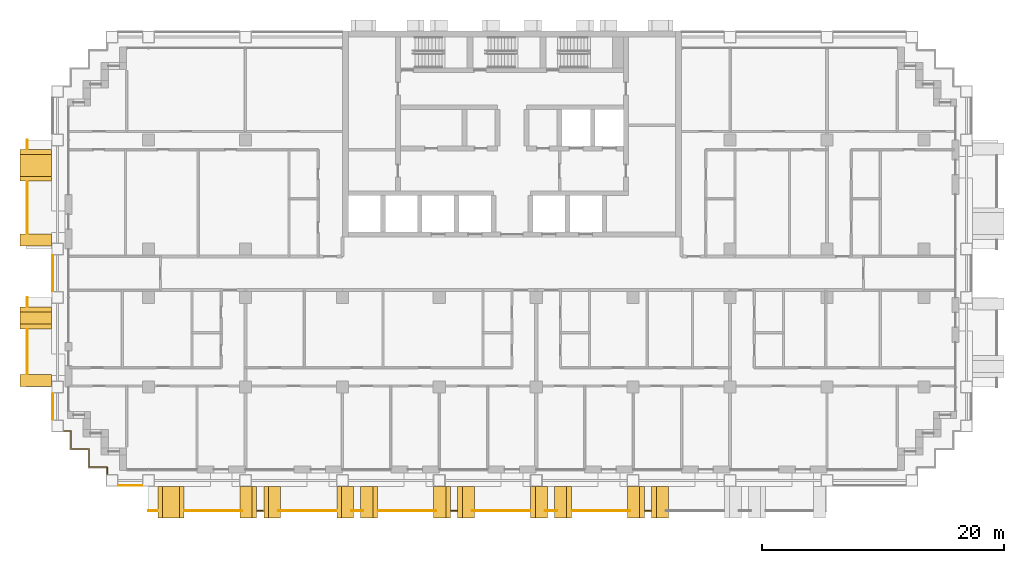
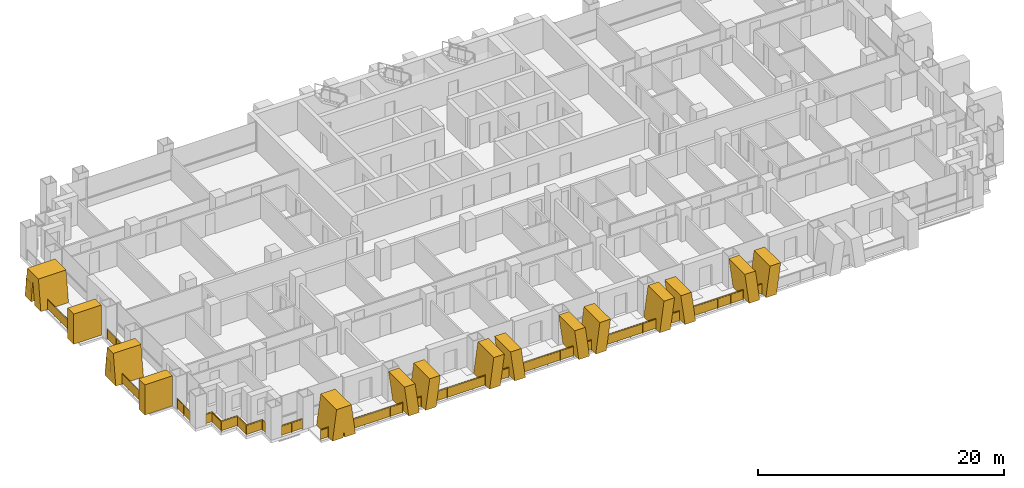
# One storey, part 15 of 18: 19 railings, 15 shading devices.
"""IFC4 building model written with IfcOpenShell, lengths in metres."""

from ifc_helpers import new_model, si_unit, direction, frame, origin, origin_2d, place, context, subcontext, project, spatial, polyline, rectangle, circle, outline, extrude, material, layer, layer_set, type_object, element, save


model = new_model("IFC4")

# Units and contexts
model_context = context("Model", 3, precision=1e-05, world=origin(), true_north=direction((0.0, 1.0)))
body_context = subcontext(model_context, "Body", "Model", "MODEL_VIEW")
ifc_project = project(units=[si_unit("LENGTHUNIT", "METRE"), si_unit("AREAUNIT", "SQUARE_METRE"), si_unit("VOLUMEUNIT", "CUBIC_METRE"), si_unit("PLANEANGLEUNIT", "RADIAN"), si_unit("MASSUNIT", "GRAM", prefix="KILO")], contexts=[model_context])

# Site, building, storey
site_placement = place(None, origin())
site = spatial("IfcSite", under=ifc_project, at=site_placement, CompositionType="ELEMENT")
building_placement = place(site_placement, origin())
building = spatial("IfcBuilding", under=site, at=building_placement, Name="Vidyagriha Tower", CompositionType="ELEMENT")
storey_placement = place(building_placement, frame((0.0, 0.0, 48.0)))
storey = spatial("IfcBuildingStorey", under=building, at=storey_placement, Name="L12", CompositionType="ELEMENT", Elevation=48.0)

# Railings
ifc_material_1 = material(Name="Steel ASTM A500 Grade C black painted", Category="steel")
railing_type_1 = type_object("IfcRailingType", Name="Balcony guard 1100", PredefinedType="BALUSTRADE", material=ifc_material_1)
railing_1_placement = place(storey_placement, frame((-40.0, 11.0, 0.0)))
element("IfcRailing", 1, at=railing_1_placement, inside=storey, type_object=railing_type_1, Name="Balcony guard L12 R16.1-1", PredefinedType="BALUSTRADE", context=body_context, shape_type="SweptSolid", body=[
    extrude(circle(Radius=0.02490234375, at=origin_2d()), frame((0.0, 0.0, 1.0751953125), z_axis=(0.0, -1.0, 0.0), x_axis=(1.0, 0.0, 0.0)), (0.0, 0.0, 1.0), 0.75),
    extrude(circle(Radius=0.02001953125, at=origin_2d()), origin(), (0.0, 0.0, 1.0), 1.050048828125),
    extrude(circle(Radius=0.02001953125, at=origin_2d()), frame((0.0, -0.75, 0.0)), (0.0, 0.0, 1.0), 1.050048828125),
    extrude(rectangle(XDim=0.010009765625, YDim=0.900146484375, at=origin_2d()), frame((0.0, 0.0, 0.550048828125), z_axis=(0.0, -1.0, 0.0), x_axis=(1.0, 0.0, 0.0)), (0.0, 0.0, 1.0), 0.75),
])
railing_2_placement = place(storey_placement, frame((-40.0, 7.550048828125, 0.0)))
element("IfcRailing", 2, at=railing_2_placement, inside=storey, type_object=railing_type_1, Name="Balcony guard L12 R16.1-2", PredefinedType="BALUSTRADE", context=body_context, shape_type="SweptSolid", body=[
    extrude(circle(Radius=0.02490234375, at=origin_2d()), frame((0.0, 0.0, 1.0751953125), z_axis=(0.0, -1.0, 0.0), x_axis=(1.0, 0.0, 0.0)), (0.0, 0.0, 1.0), 4.25),
    extrude(circle(Radius=0.02001953125, at=origin_2d()), origin(), (0.0, 0.0, 1.0), 1.050048828125),
    extrude(circle(Radius=0.02001953125, at=origin_2d()), frame((0.0, -1.0625, 0.0)), (0.0, 0.0, 1.0), 1.050048828125),
    extrude(circle(Radius=0.02001953125, at=origin_2d()), frame((0.0, -2.125, 0.0)), (0.0, 0.0, 1.0), 1.050048828125),
    extrude(circle(Radius=0.02001953125, at=origin_2d()), frame((0.0, -3.1875, 0.0)), (0.0, 0.0, 1.0), 1.050048828125),
    extrude(circle(Radius=0.02001953125, at=origin_2d()), frame((0.0, -4.25, 0.0)), (0.0, 0.0, 1.0), 1.050048828125),
    extrude(rectangle(XDim=0.010009765625, YDim=0.900146484375, at=origin_2d()), frame((0.0, 0.0, 0.550048828125), z_axis=(0.0, -1.0, 0.0), x_axis=(1.0, 0.0, 0.0)), (0.0, 0.0, 1.0), 4.25),
])
railing_3_placement = place(storey_placement, frame((-40.0, -2.0, 0.0)))
element("IfcRailing", 3, at=railing_3_placement, inside=storey, type_object=railing_type_1, Name="Balcony guard L12 R16.2-1", PredefinedType="BALUSTRADE", context=body_context, shape_type="SweptSolid", body=[
    extrude(circle(Radius=0.02490234375, at=origin_2d()), frame((0.0, 0.0, 1.0751953125), z_axis=(0.0, -1.0, 0.0), x_axis=(1.0, 0.0, 0.0)), (0.0, 0.0, 1.0), 0.75),
    extrude(circle(Radius=0.02001953125, at=origin_2d()), origin(), (0.0, 0.0, 1.0), 1.050048828125),
    extrude(circle(Radius=0.02001953125, at=origin_2d()), frame((0.0, -0.75, 0.0)), (0.0, 0.0, 1.0), 1.050048828125),
    extrude(rectangle(XDim=0.010009765625, YDim=0.900146484375, at=origin_2d()), frame((0.0, 0.0, 0.550048828125), z_axis=(0.0, -1.0, 0.0), x_axis=(1.0, 0.0, 0.0)), (0.0, 0.0, 1.0), 0.75),
])
railing_4_placement = place(storey_placement, frame((-40.0, -4.64990234375, 0.0)))
element("IfcRailing", 4, at=railing_4_placement, inside=storey, type_object=railing_type_1, Name="Balcony guard L12 R16.2-2", PredefinedType="BALUSTRADE", context=body_context, shape_type="SweptSolid", body=[
    extrude(circle(Radius=0.02490234375, at=origin_2d()), frame((0.0, 0.0, 1.0751953125), z_axis=(0.0, -1.0, 0.0), x_axis=(1.0, 0.0, 0.0)), (0.0, 0.0, 1.0), 3.650146484375),
    extrude(circle(Radius=0.02001953125, at=origin_2d()), origin(), (0.0, 0.0, 1.0), 1.050048828125),
    extrude(circle(Radius=0.02001953125, at=origin_2d()), frame((0.0, -0.91259765625, 0.0)), (0.0, 0.0, 1.0), 1.050048828125),
    extrude(circle(Radius=0.02001953125, at=origin_2d()), frame((0.0, -1.8251953125, 0.0)), (0.0, 0.0, 1.0), 1.050048828125),
    extrude(circle(Radius=0.02001953125, at=origin_2d()), frame((0.0, -2.737548828125, 0.0)), (0.0, 0.0, 1.0), 1.050048828125),
    extrude(circle(Radius=0.02001953125, at=origin_2d()), frame((0.0, -3.650146484375, 0.0)), (0.0, 0.0, 1.0), 1.050048828125),
    extrude(rectangle(XDim=0.010009765625, YDim=0.900146484375, at=origin_2d()), frame((0.0, 0.0, 0.550048828125), z_axis=(0.0, -1.0, 0.0), x_axis=(1.0, 0.0, 0.0)), (0.0, 0.0, 1.0), 3.650146484375),
])
railing_5_placement = place(storey_placement, frame((-30.0, -19.60009765625, 0.0)))
element("IfcRailing", 5, at=railing_5_placement, inside=storey, type_object=railing_type_1, Name="Balcony guard L12 R23.1-1", PredefinedType="BALUSTRADE", context=body_context, shape_type="SweptSolid", body=[
    extrude(circle(Radius=0.02490234375, at=origin_2d()), frame((0.0, 0.0, 1.0751953125), z_axis=(1.0, 0.0, 0.0), x_axis=(0.0, 1.0, 0.0)), (0.0, 0.0, 1.0), 0.721435546875),
    extrude(circle(Radius=0.02001953125, at=origin_2d()), origin(), (0.0, 0.0, 1.0), 1.050048828125),
    extrude(circle(Radius=0.02001953125, at=origin_2d()), frame((0.721435546875, 0.0, 0.0)), (0.0, 0.0, 1.0), 1.050048828125),
    extrude(rectangle(XDim=0.010009765625, YDim=0.900146484375, at=origin_2d()), frame((0.0, 0.0, 0.550048828125), z_axis=(1.0, 0.0, 0.0), x_axis=(0.0, 1.0, 0.0)), (0.0, 0.0, 1.0), 0.721435546875),
])
railing_6_placement = place(storey_placement, frame((-27.021484375, -19.60009765625, 0.0)))
element("IfcRailing", 6, at=railing_6_placement, inside=storey, type_object=railing_type_1, Name="Balcony guard L12 R23.1-2", PredefinedType="BALUSTRADE", context=body_context, shape_type="SweptSolid", body=[
    extrude(circle(Radius=0.02490234375, at=origin_2d()), frame((0.0, 0.0, 1.0751953125), z_axis=(1.0, 0.0, 0.0), x_axis=(0.0, 1.0, 0.0)), (0.0, 0.0, 1.0), 4.755126953125),
    extrude(circle(Radius=0.02001953125, at=origin_2d()), origin(), (0.0, 0.0, 1.0), 1.050048828125),
    extrude(circle(Radius=0.02001953125, at=origin_2d()), frame((1.188720703125, 0.0, 0.0)), (0.0, 0.0, 1.0), 1.050048828125),
    extrude(circle(Radius=0.02001953125, at=origin_2d()), frame((2.37744140625, 0.0, 0.0)), (0.0, 0.0, 1.0), 1.050048828125),
    extrude(circle(Radius=0.02001953125, at=origin_2d()), frame((3.56640625, 0.0, 0.0)), (0.0, 0.0, 1.0), 1.050048828125),
    extrude(circle(Radius=0.02001953125, at=origin_2d()), frame((4.755126953125, 0.0, 0.0)), (0.0, 0.0, 1.0), 1.050048828125),
    extrude(rectangle(XDim=0.010009765625, YDim=0.900146484375, at=origin_2d()), frame((0.0, 0.0, 0.550048828125), z_axis=(1.0, 0.0, 0.0), x_axis=(0.0, 1.0, 0.0)), (0.0, 0.0, 1.0), 4.755126953125),
])
railing_7_placement = place(storey_placement, frame((-21.014892578125, -19.60009765625, 0.0)))
element("IfcRailing", 7, at=railing_7_placement, inside=storey, type_object=railing_type_1, Name="Balcony guard L12 R23.1-3", PredefinedType="BALUSTRADE", context=body_context, shape_type="SweptSolid", body=[
    extrude(circle(Radius=0.02490234375, at=origin_2d()), frame((0.0, 0.0, 1.0751953125), z_axis=(1.0, 0.0, 0.0), x_axis=(0.0, 1.0, 0.0)), (0.0, 0.0, 1.0), 0.47998046875),
    extrude(circle(Radius=0.02001953125, at=origin_2d()), origin(), (0.0, 0.0, 1.0), 1.050048828125),
    extrude(circle(Radius=0.02001953125, at=origin_2d()), frame((0.47998046875, 0.0, 0.0)), (0.0, 0.0, 1.0), 1.050048828125),
    extrude(rectangle(XDim=0.010009765625, YDim=0.900146484375, at=origin_2d()), frame((0.0, 0.0, 0.550048828125), z_axis=(1.0, 0.0, 0.0), x_axis=(0.0, 1.0, 0.0)), (0.0, 0.0, 1.0), 0.47998046875),
])
railing_8_placement = place(storey_placement, frame((-19.28369140625, -19.60009765625, 0.0)))
element("IfcRailing", 8, at=railing_8_placement, inside=storey, type_object=railing_type_1, Name="Balcony guard L12 R23.1-4", PredefinedType="BALUSTRADE", context=body_context, shape_type="SweptSolid", body=[
    extrude(circle(Radius=0.02490234375, at=origin_2d()), frame((0.0, 0.0, 1.0751953125), z_axis=(1.0, 0.0, 0.0), x_axis=(0.0, 1.0, 0.0)), (0.0, 0.0, 1.0), 4.773681640625),
    extrude(circle(Radius=0.02001953125, at=origin_2d()), origin(), (0.0, 0.0, 1.0), 1.050048828125),
    extrude(circle(Radius=0.02001953125, at=origin_2d()), frame((1.193359375, 0.0, 0.0)), (0.0, 0.0, 1.0), 1.050048828125),
    extrude(circle(Radius=0.02001953125, at=origin_2d()), frame((2.38671875, 0.0, 0.0)), (0.0, 0.0, 1.0), 1.050048828125),
    extrude(circle(Radius=0.02001953125, at=origin_2d()), frame((3.580322265625, 0.0, 0.0)), (0.0, 0.0, 1.0), 1.050048828125),
    extrude(circle(Radius=0.02001953125, at=origin_2d()), frame((4.773681640625, 0.0, 0.0)), (0.0, 0.0, 1.0), 1.050048828125),
    extrude(rectangle(XDim=0.010009765625, YDim=0.900146484375, at=origin_2d()), frame((0.0, 0.0, 0.550048828125), z_axis=(1.0, 0.0, 0.0), x_axis=(0.0, 1.0, 0.0)), (0.0, 0.0, 1.0), 4.773681640625),
])
railing_9_placement = place(storey_placement, frame((-13.258544921875, -19.60009765625, 0.0)))
element("IfcRailing", 9, at=railing_9_placement, inside=storey, type_object=railing_type_1, Name="Balcony guard L12 R23.1-5", PredefinedType="BALUSTRADE", context=body_context, shape_type="SweptSolid", body=[
    extrude(circle(Radius=0.02490234375, at=origin_2d()), frame((0.0, 0.0, 1.0751953125), z_axis=(1.0, 0.0, 0.0), x_axis=(0.0, 1.0, 0.0)), (0.0, 0.0, 1.0), 0.967041015625),
    extrude(circle(Radius=0.02001953125, at=origin_2d()), origin(), (0.0, 0.0, 1.0), 1.050048828125),
    extrude(circle(Radius=0.02001953125, at=origin_2d()), frame((0.967041015625, 0.0, 0.0)), (0.0, 0.0, 1.0), 1.050048828125),
    extrude(rectangle(XDim=0.010009765625, YDim=0.900146484375, at=origin_2d()), frame((0.0, 0.0, 0.550048828125), z_axis=(1.0, 0.0, 0.0), x_axis=(0.0, 1.0, 0.0)), (0.0, 0.0, 1.0), 0.967041015625),
])
railing_10_placement = place(storey_placement, frame((-11.0400390625, -19.60009765625, 0.0)))
element("IfcRailing", 10, at=railing_10_placement, inside=storey, type_object=railing_type_1, Name="Balcony guard L12 R23.1-6", PredefinedType="BALUSTRADE", context=body_context, shape_type="SweptSolid", body=[
    extrude(circle(Radius=0.02490234375, at=origin_2d()), frame((0.0, 0.0, 1.0751953125), z_axis=(1.0, 0.0, 0.0), x_axis=(0.0, 1.0, 0.0)), (0.0, 0.0, 1.0), 4.773681640625),
    extrude(circle(Radius=0.02001953125, at=origin_2d()), origin(), (0.0, 0.0, 1.0), 1.050048828125),
    extrude(circle(Radius=0.02001953125, at=origin_2d()), frame((1.193359375, 0.0, 0.0)), (0.0, 0.0, 1.0), 1.050048828125),
    extrude(circle(Radius=0.02001953125, at=origin_2d()), frame((2.38671875, 0.0, 0.0)), (0.0, 0.0, 1.0), 1.050048828125),
    extrude(circle(Radius=0.02001953125, at=origin_2d()), frame((3.580322265625, 0.0, 0.0)), (0.0, 0.0, 1.0), 1.050048828125),
    extrude(circle(Radius=0.02001953125, at=origin_2d()), frame((4.773681640625, 0.0, 0.0)), (0.0, 0.0, 1.0), 1.050048828125),
    extrude(rectangle(XDim=0.010009765625, YDim=0.900146484375, at=origin_2d()), frame((0.0, 0.0, 0.550048828125), z_axis=(1.0, 0.0, 0.0), x_axis=(0.0, 1.0, 0.0)), (0.0, 0.0, 1.0), 4.773681640625),
])
railing_11_placement = place(storey_placement, frame((-5.014892578125, -19.60009765625, 0.0)))
element("IfcRailing", 11, at=railing_11_placement, inside=storey, type_object=railing_type_1, Name="Balcony guard L12 R23.1-7", PredefinedType="BALUSTRADE", context=body_context, shape_type="SweptSolid", body=[
    extrude(circle(Radius=0.02490234375, at=origin_2d()), frame((0.0, 0.0, 1.0751953125), z_axis=(1.0, 0.0, 0.0), x_axis=(0.0, 1.0, 0.0)), (0.0, 0.0, 1.0), 0.47998046875),
    extrude(circle(Radius=0.02001953125, at=origin_2d()), origin(), (0.0, 0.0, 1.0), 1.050048828125),
    extrude(circle(Radius=0.02001953125, at=origin_2d()), frame((0.47998046875, 0.0, 0.0)), (0.0, 0.0, 1.0), 1.050048828125),
    extrude(rectangle(XDim=0.010009765625, YDim=0.900146484375, at=origin_2d()), frame((0.0, 0.0, 0.550048828125), z_axis=(1.0, 0.0, 0.0), x_axis=(0.0, 1.0, 0.0)), (0.0, 0.0, 1.0), 0.47998046875),
])
railing_12_placement = place(storey_placement, frame((-3.28369140625, -19.60009765625, 0.0)))
element("IfcRailing", 12, at=railing_12_placement, inside=storey, type_object=railing_type_1, Name="Balcony guard L12 R23.1-8", PredefinedType="BALUSTRADE", context=body_context, shape_type="SweptSolid", body=[
    extrude(circle(Radius=0.02490234375, at=origin_2d()), frame((0.0, 0.0, 1.0751953125), z_axis=(1.0, 0.0, 0.0), x_axis=(0.0, 1.0, 0.0)), (0.0, 0.0, 1.0), 4.773681640625),
    extrude(circle(Radius=0.02001953125, at=origin_2d()), origin(), (0.0, 0.0, 1.0), 1.050048828125),
    extrude(circle(Radius=0.02001953125, at=origin_2d()), frame((1.193359375, 0.0, 0.0)), (0.0, 0.0, 1.0), 1.050048828125),
    extrude(circle(Radius=0.02001953125, at=origin_2d()), frame((2.38671875, 0.0, 0.0)), (0.0, 0.0, 1.0), 1.050048828125),
    extrude(circle(Radius=0.02001953125, at=origin_2d()), frame((3.580322265625, 0.0, 0.0)), (0.0, 0.0, 1.0), 1.050048828125),
    extrude(circle(Radius=0.02001953125, at=origin_2d()), frame((4.773681640625, 0.0, 0.0)), (0.0, 0.0, 1.0), 1.050048828125),
    extrude(rectangle(XDim=0.010009765625, YDim=0.900146484375, at=origin_2d()), frame((0.0, 0.0, 0.550048828125), z_axis=(1.0, 0.0, 0.0), x_axis=(0.0, 1.0, 0.0)), (0.0, 0.0, 1.0), 4.773681640625),
])
railing_13_placement = place(storey_placement, frame((2.741455078125, -19.60009765625, 0.0)))
element("IfcRailing", 13, at=railing_13_placement, inside=storey, type_object=railing_type_1, Name="Balcony guard L12 R23.1-9", PredefinedType="BALUSTRADE", context=body_context, shape_type="SweptSolid", body=[
    extrude(circle(Radius=0.02490234375, at=origin_2d()), frame((0.0, 0.0, 1.0751953125), z_axis=(1.0, 0.0, 0.0), x_axis=(0.0, 1.0, 0.0)), (0.0, 0.0, 1.0), 0.967041015625),
    extrude(circle(Radius=0.02001953125, at=origin_2d()), origin(), (0.0, 0.0, 1.0), 1.050048828125),
    extrude(circle(Radius=0.02001953125, at=origin_2d()), frame((0.967041015625, 0.0, 0.0)), (0.0, 0.0, 1.0), 1.050048828125),
    extrude(rectangle(XDim=0.010009765625, YDim=0.900146484375, at=origin_2d()), frame((0.0, 0.0, 0.550048828125), z_axis=(1.0, 0.0, 0.0), x_axis=(0.0, 1.0, 0.0)), (0.0, 0.0, 1.0), 0.967041015625),
])
railing_14_placement = place(storey_placement, frame((4.9599609375, -19.60009765625, 0.0)))
element("IfcRailing", 14, at=railing_14_placement, inside=storey, type_object=railing_type_1, Name="Balcony guard L12 R23.1-10", PredefinedType="BALUSTRADE", context=body_context, shape_type="SweptSolid", body=[
    extrude(circle(Radius=0.02490234375, at=origin_2d()), frame((0.0, 0.0, 1.0751953125), z_axis=(1.0, 0.0, 0.0), x_axis=(0.0, 1.0, 0.0)), (0.0, 0.0, 1.0), 4.773681640625),
    extrude(circle(Radius=0.02001953125, at=origin_2d()), origin(), (0.0, 0.0, 1.0), 1.050048828125),
    extrude(circle(Radius=0.02001953125, at=origin_2d()), frame((1.193359375, 0.0, 0.0)), (0.0, 0.0, 1.0), 1.050048828125),
    extrude(circle(Radius=0.02001953125, at=origin_2d()), frame((2.38671875, 0.0, 0.0)), (0.0, 0.0, 1.0), 1.050048828125),
    extrude(circle(Radius=0.02001953125, at=origin_2d()), frame((3.580322265625, 0.0, 0.0)), (0.0, 0.0, 1.0), 1.050048828125),
    extrude(circle(Radius=0.02001953125, at=origin_2d()), frame((4.773681640625, 0.0, 0.0)), (0.0, 0.0, 1.0), 1.050048828125),
    extrude(rectangle(XDim=0.010009765625, YDim=0.900146484375, at=origin_2d()), frame((0.0, 0.0, 0.550048828125), z_axis=(1.0, 0.0, 0.0), x_axis=(0.0, 1.0, 0.0)), (0.0, 0.0, 1.0), 4.773681640625),
])
railing_15_placement = place(storey_placement, frame((10.985107421875, -19.60009765625, 0.0)))
element("IfcRailing", 15, at=railing_15_placement, inside=storey, type_object=railing_type_1, Name="Balcony guard L12 R23.1-11", PredefinedType="BALUSTRADE", context=body_context, shape_type="SweptSolid", body=[
    extrude(circle(Radius=0.02490234375, at=origin_2d()), frame((0.0, 0.0, 1.0751953125), z_axis=(1.0, 0.0, 0.0), x_axis=(0.0, 1.0, 0.0)), (0.0, 0.0, 1.0), 0.47998046875),
    extrude(circle(Radius=0.02001953125, at=origin_2d()), origin(), (0.0, 0.0, 1.0), 1.050048828125),
    extrude(circle(Radius=0.02001953125, at=origin_2d()), frame((0.47998046875, 0.0, 0.0)), (0.0, 0.0, 1.0), 1.050048828125),
    extrude(rectangle(XDim=0.010009765625, YDim=0.900146484375, at=origin_2d()), frame((0.0, 0.0, 0.550048828125), z_axis=(1.0, 0.0, 0.0), x_axis=(0.0, 1.0, 0.0)), (0.0, 0.0, 1.0), 0.47998046875),
])

# Shading devices
ifc_material_2 = material(Name="Precast concrete C40/50 with buff brick facing", Category="concrete")
ifc_layer_1 = layer(ifc_material_2, 1.0)
ifc_layer_set_1 = layer_set([ifc_layer_1], Name="Precast concrete C40/50 with buff brick facing")
shading_device_type_1 = type_object("IfcShadingDeviceType", Name="Brick-faced blade fin arm leaning 8 degrees", PredefinedType="USERDEFINED", material=ifc_layer_set_1)
shading_device_1_placement = place(storey_placement, frame((-20.485107421875, -18.89990234375, 0.0)))
element("IfcShadingDevice", 16, at=shading_device_1_placement, inside=storey, type_object=shading_device_type_1, Name="Leaning blade fin L12 R23.980a", ObjectType="BLADE FIN", PredefinedType="USERDEFINED", context=body_context, shape_type="SweptSolid", body=[
    extrude(outline(polyline([(0.0, 0.0), (1.0, 0.0), (1.39501953125, 3.0), (0.39501953125, 3.0), (0.0, 0.0)])), frame((0.0, 1.300048828125, 0.0), z_axis=(0.0, -1.0, 0.0), x_axis=(1.0, 0.0, 0.0)), (0.0, 0.0, 1.0), 2.60009765625),
])
shading_device_2_placement = place(storey_placement, frame((-22.4599609375, -18.89990234375, 0.0)))
element("IfcShadingDevice", 17, at=shading_device_2_placement, inside=storey, type_object=shading_device_type_1, Name="Leaning blade fin L12 R23.980b", ObjectType="BLADE FIN", PredefinedType="USERDEFINED", context=body_context, shape_type="SweptSolid", body=[
    extrude(outline(polyline([(0.39501953125, 0.0), (1.39501953125, 0.0), (1.0, 3.0), (0.0, 3.0), (0.39501953125, 0.0)])), frame((0.0, 1.300048828125, 0.0), z_axis=(0.0, -1.0, 0.0), x_axis=(1.0, 0.0, 0.0)), (0.0, 0.0, 1.0), 2.60009765625),
])
shading_device_3_placement = place(storey_placement, frame((-14.4599609375, -18.89990234375, 0.0)))
element("IfcShadingDevice", 18, at=shading_device_3_placement, inside=storey, type_object=shading_device_type_1, Name="Leaning blade fin L12 R23.1780a", ObjectType="BLADE FIN", PredefinedType="USERDEFINED", context=body_context, shape_type="SweptSolid", body=[
    extrude(outline(polyline([(0.0, 0.0), (1.0, 0.0), (1.39501953125, 3.0), (0.39501953125, 3.0), (0.0, 0.0)])), frame((0.0, 1.300048828125, 0.0), z_axis=(0.0, -1.0, 0.0), x_axis=(1.0, 0.0, 0.0)), (0.0, 0.0, 1.0), 2.60009765625),
])
shading_device_4_placement = place(storey_placement, frame((-12.485107421875, -18.89990234375, 0.0)))
element("IfcShadingDevice", 19, at=shading_device_4_placement, inside=storey, type_object=shading_device_type_1, Name="Leaning blade fin L12 R23.1780b", ObjectType="BLADE FIN", PredefinedType="USERDEFINED", context=body_context, shape_type="SweptSolid", body=[
    extrude(outline(polyline([(0.39501953125, 0.0), (1.39501953125, 0.0), (1.0, 3.0), (0.0, 3.0), (0.39501953125, 0.0)])), frame((0.0, 1.300048828125, 0.0), z_axis=(0.0, -1.0, 0.0), x_axis=(1.0, 0.0, 0.0)), (0.0, 0.0, 1.0), 2.60009765625),
])
shading_device_5_placement = place(storey_placement, frame((-4.485107421875, -18.89990234375, 0.0)))
element("IfcShadingDevice", 20, at=shading_device_5_placement, inside=storey, type_object=shading_device_type_1, Name="Leaning blade fin L12 R23.2580a", ObjectType="BLADE FIN", PredefinedType="USERDEFINED", context=body_context, shape_type="SweptSolid", body=[
    extrude(outline(polyline([(0.0, 0.0), (1.0, 0.0), (1.39501953125, 3.0), (0.39501953125, 3.0), (0.0, 0.0)])), frame((0.0, 1.300048828125, 0.0), z_axis=(0.0, -1.0, 0.0), x_axis=(1.0, 0.0, 0.0)), (0.0, 0.0, 1.0), 2.60009765625),
])
shading_device_6_placement = place(storey_placement, frame((-6.4599609375, -18.89990234375, 0.0)))
element("IfcShadingDevice", 21, at=shading_device_6_placement, inside=storey, type_object=shading_device_type_1, Name="Leaning blade fin L12 R23.2580b", ObjectType="BLADE FIN", PredefinedType="USERDEFINED", context=body_context, shape_type="SweptSolid", body=[
    extrude(outline(polyline([(0.39501953125, 0.0), (1.39501953125, 0.0), (1.0, 3.0), (0.0, 3.0), (0.39501953125, 0.0)])), frame((0.0, 1.300048828125, 0.0), z_axis=(0.0, -1.0, 0.0), x_axis=(1.0, 0.0, 0.0)), (0.0, 0.0, 1.0), 2.60009765625),
])
shading_device_7_placement = place(storey_placement, frame((1.5400390625, -18.89990234375, 0.0)))
element("IfcShadingDevice", 22, at=shading_device_7_placement, inside=storey, type_object=shading_device_type_1, Name="Leaning blade fin L12 R23.3380a", ObjectType="BLADE FIN", PredefinedType="USERDEFINED", context=body_context, shape_type="SweptSolid", body=[
    extrude(outline(polyline([(0.0, 0.0), (1.0, 0.0), (1.39501953125, 3.0), (0.39501953125, 3.0), (0.0, 0.0)])), frame((0.0, 1.300048828125, 0.0), z_axis=(0.0, -1.0, 0.0), x_axis=(1.0, 0.0, 0.0)), (0.0, 0.0, 1.0), 2.60009765625),
])
shading_device_8_placement = place(storey_placement, frame((3.514892578125, -18.89990234375, 0.0)))
element("IfcShadingDevice", 23, at=shading_device_8_placement, inside=storey, type_object=shading_device_type_1, Name="Leaning blade fin L12 R23.3380b", ObjectType="BLADE FIN", PredefinedType="USERDEFINED", context=body_context, shape_type="SweptSolid", body=[
    extrude(outline(polyline([(0.39501953125, 0.0), (1.39501953125, 0.0), (1.0, 3.0), (0.0, 3.0), (0.39501953125, 0.0)])), frame((0.0, 1.300048828125, 0.0), z_axis=(0.0, -1.0, 0.0), x_axis=(1.0, 0.0, 0.0)), (0.0, 0.0, 1.0), 2.60009765625),
])
shading_device_9_placement = place(storey_placement, frame((11.514892578125, -18.89990234375, 0.0)))
element("IfcShadingDevice", 24, at=shading_device_9_placement, inside=storey, type_object=shading_device_type_1, Name="Leaning blade fin L12 R23.4180a", ObjectType="BLADE FIN", PredefinedType="USERDEFINED", context=body_context, shape_type="SweptSolid", body=[
    extrude(outline(polyline([(0.0, 0.0), (1.0, 0.0), (1.39501953125, 3.0), (0.39501953125, 3.0), (0.0, 0.0)])), frame((0.0, 1.300048828125, 0.0), z_axis=(0.0, -1.0, 0.0), x_axis=(1.0, 0.0, 0.0)), (0.0, 0.0, 1.0), 2.60009765625),
])
shading_device_10_placement = place(storey_placement, frame((9.5400390625, -18.89990234375, 0.0)))
element("IfcShadingDevice", 25, at=shading_device_10_placement, inside=storey, type_object=shading_device_type_1, Name="Leaning blade fin L12 R23.4180b", ObjectType="BLADE FIN", PredefinedType="USERDEFINED", context=body_context, shape_type="SweptSolid", body=[
    extrude(outline(polyline([(0.39501953125, 0.0), (1.39501953125, 0.0), (1.0, 3.0), (0.0, 3.0), (0.39501953125, 0.0)])), frame((0.0, 1.300048828125, 0.0), z_axis=(0.0, -1.0, 0.0), x_axis=(1.0, 0.0, 0.0)), (0.0, 0.0, 1.0), 2.60009765625),
])
ifc_material_3 = material(Name="Precast concrete C40/50 with buff brick facing", Category="concrete")
ifc_layer_2 = layer(ifc_material_3, 1.0)
ifc_layer_set_2 = layer_set([ifc_layer_2], Name="Precast concrete C40/50 with buff brick facing")
shading_device_type_2 = type_object("IfcShadingDeviceType", Name="Brick-faced blade fin forking 8 degrees", PredefinedType="USERDEFINED", material=ifc_layer_set_2)
shading_device_11_placement = place(storey_placement, frame((-39.300048828125, 10.199951171875, 0.0), z_axis=(0.0, 0.0, 1.0), x_axis=(0.0, -1.0, 0.0)))
element("IfcShadingDevice", 26, at=shading_device_11_placement, inside=storey, type_object=shading_device_type_2, Name="Forked blade fin L12 R16.280a", ObjectType="BLADE FIN", PredefinedType="USERDEFINED", context=body_context, shape_type="SweptSolid", body=[
    extrude(outline(polyline([(1.0, 0.0), (1.300048828125, 2.25), (1.60009765625, 0.0), (2.60009765625, 0.0), (2.199951171875, 3.0), (0.39990234375, 3.0), (0.0, 0.0), (1.0, 0.0)])), frame((0.0, 1.300048828125, 0.0), z_axis=(0.0, -1.0, 0.0), x_axis=(1.0, 0.0, 0.0)), (0.0, 0.0, 1.0), 2.60009765625),
])
shading_device_12_placement = place(storey_placement, frame((-39.300048828125, -2.800048828125, 0.0), z_axis=(0.0, 0.0, 1.0), x_axis=(0.0, -1.0, 0.0)))
element("IfcShadingDevice", 27, at=shading_device_12_placement, inside=storey, type_object=shading_device_type_2, Name="Forked blade fin L12 R16.1580a", ObjectType="BLADE FIN", PredefinedType="USERDEFINED", context=body_context, shape_type="SweptSolid", body=[
    extrude(outline(polyline([(0.0, 0.0), (1.800048828125, 0.0), (1.39990234375, 3.0), (0.39990234375, 3.0), (0.0, 0.0)])), frame((0.0, 1.300048828125, 0.0), z_axis=(0.0, -1.0, 0.0), x_axis=(1.0, 0.0, 0.0)), (0.0, 0.0, 1.0), 2.60009765625),
])
shading_device_13_placement = place(storey_placement, frame((-29.228515625, -18.89990234375, 0.0)))
element("IfcShadingDevice", 28, at=shading_device_13_placement, inside=storey, type_object=shading_device_type_2, Name="Forked blade fin L12 R23.180a", ObjectType="BLADE FIN", PredefinedType="USERDEFINED", context=body_context, shape_type="SweptSolid", body=[
    extrude(outline(polyline([(1.0, 0.0), (1.07861328125, 0.611083984375), (1.1572265625, 0.0), (2.1572265625, 0.0), (1.771484375, 3.0), (0.3857421875, 3.0), (0.0, 0.0), (1.0, 0.0)])), frame((0.0, 1.300048828125, 0.0), z_axis=(0.0, -1.0, 0.0), x_axis=(1.0, 0.0, 0.0)), (0.0, 0.0, 1.0), 2.60009765625),
])
ifc_material_4 = material(Name="Precast concrete C40/50 with buff brick facing", Category="concrete")
ifc_layer_3 = layer(ifc_material_4, 1.0)
ifc_layer_set_3 = layer_set([ifc_layer_3], Name="Precast concrete C40/50 with buff brick facing")
shading_device_type_3 = type_object("IfcShadingDeviceType", Name="Brick-faced blade fin stem 1000", PredefinedType="USERDEFINED", material=ifc_layer_set_3)
for number, where, z_axis, x_axis, name in (
    (29, (-39.300048828125, 3.25, 0.0), (0.0, 0.0, 1.0), (0.0, -1.0, 0.0), "Stem blade fin L12 R16.1180a"),
    (30, (-39.300048828125, -8.35009765625, 0.0), (0.0, 0.0, 1.0), (0.0, -1.0, 0.0), "Stem blade fin L12 R16.2320a"),
):
    element("IfcShadingDevice", number, at=place(storey_placement, frame(where, z_axis=z_axis, x_axis=x_axis)), inside=storey, type_object=shading_device_type_3, Name=name, ObjectType="BLADE FIN", PredefinedType="USERDEFINED", context=body_context, shape_type="SweptSolid", body=[
        extrude(outline(polyline([(0.0, 0.0), (1.0, 0.0), (1.0, 3.0), (0.0, 3.0), (0.0, 0.0)])), frame((0.0, 1.300048828125, 0.0), z_axis=(0.0, -1.0, 0.0), x_axis=(1.0, 0.0, 0.0)), (0.0, 0.0, 1.0), 2.60009765625),
    ])

# Railings
ifc_material_5 = material(Name="Steel ASTM A500 Grade C black painted", Category="steel")
railing_type_2 = type_object("IfcRailingType", Name="Gallery guard 1100", PredefinedType="GUARDRAIL", material=ifc_material_5)
railing_16_placement = place(storey_placement, frame((-37.89990234375, -12.070068359375, 0.0)))
element("IfcRailing", 31, at=railing_16_placement, inside=storey, type_object=railing_type_2, Name="Gallery guard L12 1", PredefinedType="GUARDRAIL", context=body_context, shape_type="SweptSolid", body=[
    extrude(circle(Radius=0.02490234375, at=origin_2d()), frame((0.0, 0.0, 1.0751953125), z_axis=(0.0, 1.0, 0.0), x_axis=(-1.0, 0.0, 0.0)), (0.0, 0.0, 1.0), 2.14013671875),
    extrude(circle(Radius=0.02001953125, at=origin_2d()), origin(), (0.0, 0.0, 1.0), 1.050048828125),
    extrude(circle(Radius=0.02001953125, at=origin_2d()), frame((0.0, 1.070068359375, 0.0)), (0.0, 0.0, 1.0), 1.050048828125),
    extrude(circle(Radius=0.02001953125, at=origin_2d()), frame((0.0, 2.14013671875, 0.0)), (0.0, 0.0, 1.0), 1.050048828125),
    extrude(rectangle(XDim=0.010009765625, YDim=0.900146484375, at=origin_2d()), frame((0.0, 0.0, 0.550048828125), z_axis=(0.0, 1.0, 0.0), x_axis=(-1.0, 0.0, 0.0)), (0.0, 0.0, 1.0), 2.14013671875),
])
railing_17_placement = place(storey_placement, frame((-37.89990234375, -1.469970703125, 0.0)))
element("IfcRailing", 32, at=railing_17_placement, inside=storey, type_object=railing_type_2, Name="Gallery guard L12 2", PredefinedType="GUARDRAIL", context=body_context, shape_type="SweptSolid", body=[
    extrude(circle(Radius=0.02490234375, at=origin_2d()), frame((0.0, 0.0, 1.0751953125), z_axis=(0.0, 1.0, 0.0), x_axis=(-1.0, 0.0, 0.0)), (0.0, 0.0, 1.0), 2.93994140625),
    extrude(circle(Radius=0.02001953125, at=origin_2d()), origin(), (0.0, 0.0, 1.0), 1.050048828125),
    extrude(circle(Radius=0.02001953125, at=origin_2d()), frame((0.0, 1.469970703125, 0.0)), (0.0, 0.0, 1.0), 1.050048828125),
    extrude(circle(Radius=0.02001953125, at=origin_2d()), frame((0.0, 2.93994140625, 0.0)), (0.0, 0.0, 1.0), 1.050048828125),
    extrude(rectangle(XDim=0.010009765625, YDim=0.900146484375, at=origin_2d()), frame((0.0, 0.0, 0.550048828125), z_axis=(0.0, 1.0, 0.0), x_axis=(-1.0, 0.0, 0.0)), (0.0, 0.0, 1.0), 2.93994140625),
])
railing_18_placement = place(storey_placement, frame((-33.39990234375, -16.570068359375, 0.0)))
element("IfcRailing", 33, at=railing_18_placement, inside=storey, type_object=railing_type_2, Name="Gallery guard L12 4", PredefinedType="GUARDRAIL", context=body_context, shape_type="SweptSolid", body=[
    extrude(circle(Radius=0.02490234375, at=origin_2d()), frame((0.0, 0.0, 1.0751953125), z_axis=(0.0, 1.0, 0.0), x_axis=(-1.0, 0.0, 0.0)), (0.0, 0.0, 1.0), 0.570068359375),
    extrude(circle(Radius=0.02490234375, at=origin_2d()), frame((0.0, 0.570068359375, 1.0751953125), z_axis=(-1.0, 0.0, 0.0), x_axis=(0.0, -1.0, 0.0)), (0.0, 0.0, 1.0), 1.5),
    extrude(circle(Radius=0.02490234375, at=origin_2d()), frame((-1.5, 0.570068359375, 1.0751953125), z_axis=(0.0, 1.0, 0.0), x_axis=(-1.0, 0.0, 0.0)), (0.0, 0.0, 1.0), 1.5),
    extrude(circle(Radius=0.02490234375, at=origin_2d()), frame((-1.5, 2.070068359375, 1.0751953125), z_axis=(-1.0, 0.0, 0.0), x_axis=(0.0, -1.0, 0.0)), (0.0, 0.0, 1.0), 1.5),
    extrude(circle(Radius=0.02490234375, at=origin_2d()), frame((-3.0, 2.070068359375, 1.0751953125), z_axis=(0.0, 1.0, 0.0), x_axis=(-1.0, 0.0, 0.0)), (0.0, 0.0, 1.0), 1.5),
    extrude(circle(Radius=0.02490234375, at=origin_2d()), frame((-3.0, 3.570068359375, 1.0751953125), z_axis=(-1.0, 0.0, 0.0), x_axis=(0.0, -1.0, 0.0)), (0.0, 0.0, 1.0), 0.570068359375),
    extrude(circle(Radius=0.02001953125, at=origin_2d()), origin(), (0.0, 0.0, 1.0), 1.050048828125),
    extrude(circle(Radius=0.02001953125, at=origin_2d()), frame((0.0, 0.570068359375, 0.0)), (0.0, 0.0, 1.0), 1.050048828125),
    extrude(circle(Radius=0.02001953125, at=origin_2d()), frame((-1.5, 0.570068359375, 0.0)), (0.0, 0.0, 1.0), 1.050048828125),
    extrude(circle(Radius=0.02001953125, at=origin_2d()), frame((-1.5, 2.070068359375, 0.0)), (0.0, 0.0, 1.0), 1.050048828125),
    extrude(circle(Radius=0.02001953125, at=origin_2d()), frame((-3.0, 2.070068359375, 0.0)), (0.0, 0.0, 1.0), 1.050048828125),
    extrude(circle(Radius=0.02001953125, at=origin_2d()), frame((-3.0, 3.570068359375, 0.0)), (0.0, 0.0, 1.0), 1.050048828125),
    extrude(circle(Radius=0.02001953125, at=origin_2d()), frame((-3.570068359375, 3.570068359375, 0.0)), (0.0, 0.0, 1.0), 1.050048828125),
    extrude(rectangle(XDim=0.010009765625, YDim=0.900146484375, at=origin_2d()), frame((0.0, 0.0, 0.550048828125), z_axis=(0.0, 1.0, 0.0), x_axis=(-1.0, 0.0, 0.0)), (0.0, 0.0, 1.0), 0.570068359375),
    extrude(rectangle(XDim=0.010009765625, YDim=0.900146484375, at=origin_2d()), frame((0.0, 0.570068359375, 0.550048828125), z_axis=(-1.0, 0.0, 0.0), x_axis=(0.0, -1.0, 0.0)), (0.0, 0.0, 1.0), 1.5),
    extrude(rectangle(XDim=0.010009765625, YDim=0.900146484375, at=origin_2d()), frame((-1.5, 0.570068359375, 0.550048828125), z_axis=(0.0, 1.0, 0.0), x_axis=(-1.0, 0.0, 0.0)), (0.0, 0.0, 1.0), 1.5),
    extrude(rectangle(XDim=0.010009765625, YDim=0.900146484375, at=origin_2d()), frame((-1.5, 2.070068359375, 0.550048828125), z_axis=(-1.0, 0.0, 0.0), x_axis=(0.0, -1.0, 0.0)), (0.0, 0.0, 1.0), 1.5),
    extrude(rectangle(XDim=0.010009765625, YDim=0.900146484375, at=origin_2d()), frame((-3.0, 2.070068359375, 0.550048828125), z_axis=(0.0, 1.0, 0.0), x_axis=(-1.0, 0.0, 0.0)), (0.0, 0.0, 1.0), 1.5),
    extrude(rectangle(XDim=0.010009765625, YDim=0.900146484375, at=origin_2d()), frame((-3.0, 3.570068359375, 0.550048828125), z_axis=(-1.0, 0.0, 0.0), x_axis=(0.0, -1.0, 0.0)), (0.0, 0.0, 1.0), 0.570068359375),
])
railing_19_placement = place(storey_placement, frame((-30.530029296875, -17.5, 0.0)))
element("IfcRailing", 34, at=railing_19_placement, inside=storey, type_object=railing_type_2, Name="Gallery guard L12 6", PredefinedType="GUARDRAIL", context=body_context, shape_type="SweptSolid", body=[
    extrude(circle(Radius=0.02490234375, at=origin_2d()), frame((0.0, 0.0, 1.0751953125), z_axis=(-1.0, 0.0, 0.0), x_axis=(0.0, -1.0, 0.0)), (0.0, 0.0, 1.0), 1.93994140625),
    extrude(circle(Radius=0.02001953125, at=origin_2d()), origin(), (0.0, 0.0, 1.0), 1.050048828125),
    extrude(circle(Radius=0.02001953125, at=origin_2d()), frame((-0.969970703125, 0.0, 0.0)), (0.0, 0.0, 1.0), 1.050048828125),
    extrude(circle(Radius=0.02001953125, at=origin_2d()), frame((-1.93994140625, 0.0, 0.0)), (0.0, 0.0, 1.0), 1.050048828125),
    extrude(rectangle(XDim=0.010009765625, YDim=0.900146484375, at=origin_2d()), frame((0.0, 0.0, 0.550048828125), z_axis=(-1.0, 0.0, 0.0), x_axis=(0.0, -1.0, 0.0)), (0.0, 0.0, 1.0), 1.93994140625),
])

save(model, "model.ifc")
